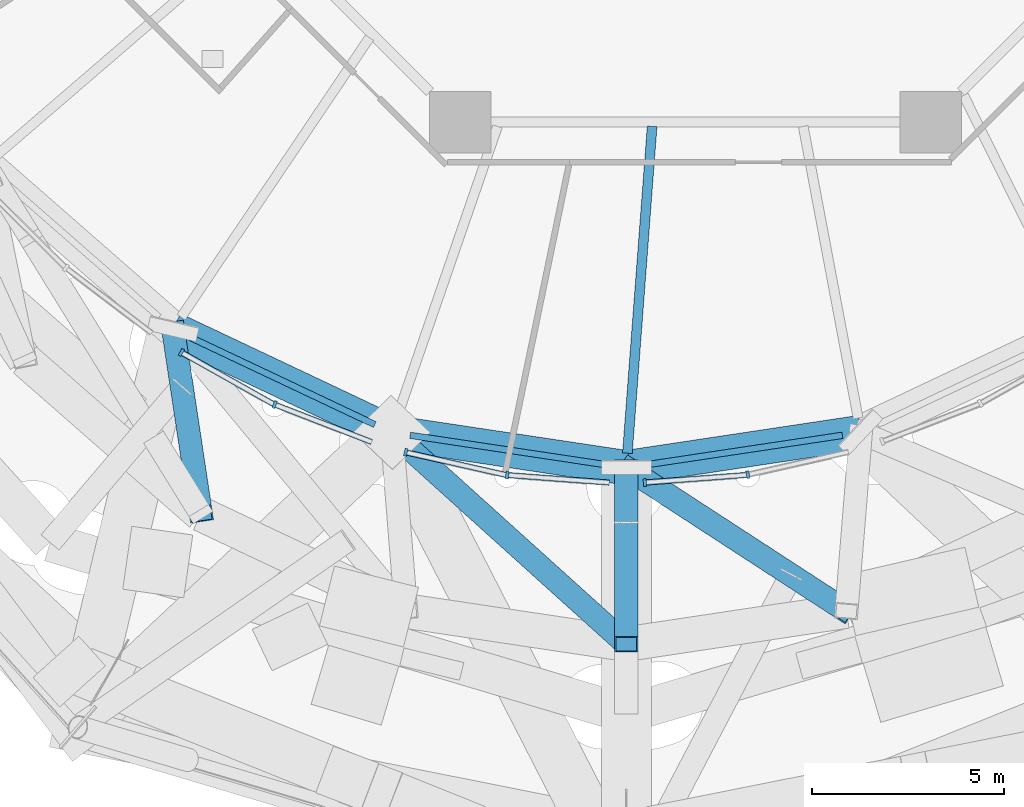
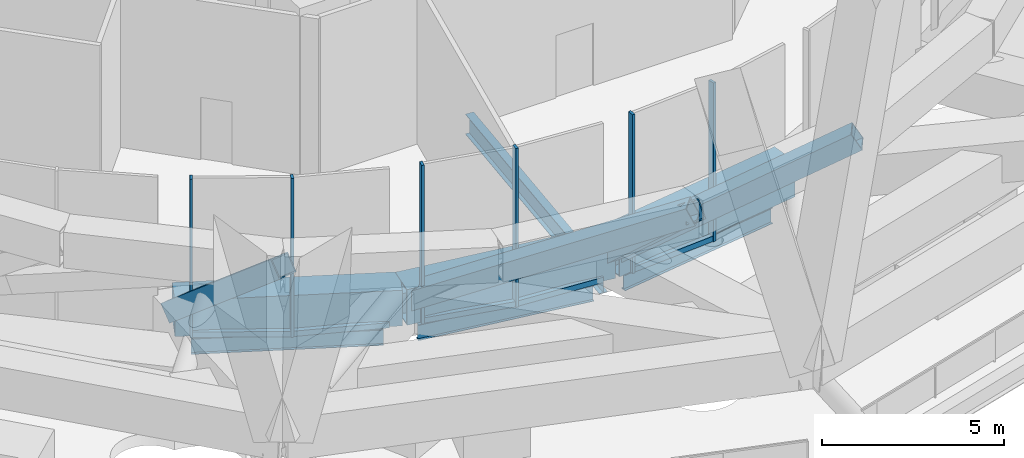
# One storey, part 3 of 48: 11 beams, 11 members, 6 elements without a shape of their own.
"""IFC4 building model written with IfcOpenShell, lengths in metres."""

from ifc_helpers import new_model, si_unit, direction, frame, origin, origin_2d, place, context, subcontext, project, spatial, rectangle, hollow_rectangle, i_section, extrude, material, layer, layer_set, material_profile, profile_set, type_object, element, aggregate, save


model = new_model("IFC4")

# Units and contexts
model_context = context("Model", 3, precision=1e-05, world=origin(), true_north=direction((0.0, 1.0)))
body_context = subcontext(model_context, "Body", "Model", "MODEL_VIEW")
ifc_project = project(units=[si_unit("LENGTHUNIT", "METRE"), si_unit("AREAUNIT", "SQUARE_METRE"), si_unit("VOLUMEUNIT", "CUBIC_METRE"), si_unit("PLANEANGLEUNIT", "RADIAN"), si_unit("MASSUNIT", "GRAM", prefix="KILO")], contexts=[model_context])

# Site, building, storey
site_placement = place(None, origin())
site = spatial("IfcSite", under=ifc_project, at=site_placement, CompositionType="ELEMENT")
building_placement = place(site_placement, origin())
building = spatial("IfcBuilding", under=site, at=building_placement, Name="Nagisa Residences", CompositionType="ELEMENT")
storey_placement = place(building_placement, frame((0.0, 0.0, 252.89990234375)))
storey = spatial("IfcBuildingStorey", under=building, at=storey_placement, Name="L64", CompositionType="ELEMENT", Elevation=252.89990234375)

# Beams
ifc_material_1 = material(Name="Steel ASTM A572 Gr 50", Category="steel")
ifc_material_profile_1 = material_profile(ifc_material_1, hollow_rectangle(XDim=0.89990234375, YDim=1.199951171875, WallThickness=0.0400390625, at=origin_2d()), Name="BX 900x1200x40")
ifc_profile_set_1 = profile_set([ifc_material_profile_1], Name="Steel ASTM A572 Gr 50")
beam_type_1 = type_object("IfcBeamType", Name="Belt chord 5 BX 900x1200x40", PredefinedType="BEAM", material=ifc_profile_set_1)
beam_1_placement = place(storey_placement, frame((-13.5849609375, -20.169677734375, 0.60009765625), z_axis=(0.904131998692, -0.427253237485, 0.0), x_axis=(0.427253237485, 0.904131998692, 0.0)))
element("IfcBeam", 1, at=beam_1_placement, inside=storey, type_object=beam_type_1, Name="beam:L64:bt5b17", PredefinedType="BEAM", context=body_context, shape_type="SweptSolid", body=[
    extrude(hollow_rectangle(XDim=0.89990234375, YDim=1.199951171875, WallThickness=0.0400390625, at=origin_2d()), origin(), (0.0, 0.0, 1.0), 6.287353515625),
])
for number, where, z_axis, x_axis, name in (
    (2, (-7.900390625, -22.85595703125, 0.60009765625), (0.988907595105, -0.14853204484, 0.0), (0.14853204484, 0.988907595105, 0.0), "beam:L64:bt5b18"),
    (3, (-1.800048828125, -23.772216796875, 0.60009765625), (0.988907595105, 0.14853204484, 0.0), (-0.14853204484, 0.988907595105, 0.0), "beam:L64:bt5b19"),
):
    element("IfcBeam", number, at=place(storey_placement, frame(where, z_axis=z_axis, x_axis=x_axis)), inside=storey, type_object=beam_type_1, Name=name, PredefinedType="BEAM", context=body_context, shape_type="SweptSolid", body=[
        extrude(hollow_rectangle(XDim=0.89990234375, YDim=1.199951171875, WallThickness=0.0400390625, at=origin_2d()), origin(), (0.0, 0.0, 1.0), 6.168701171875),
    ])
ifc_material_2 = material(Name="Steel ASTM A572 Gr 50", Category="steel")
ifc_material_profile_2 = material_profile(ifc_material_2, hollow_rectangle(XDim=0.60009765625, YDim=0.60009765625, WallThickness=0.034912109375, at=origin_2d()), Name="BX 600x600x35")
ifc_profile_set_2 = profile_set([ifc_material_profile_2], Name="Steel ASTM A572 Gr 50")
beam_type_2 = type_object("IfcBeamType", Name="Belt diagonal 5 BX 600x600x35", PredefinedType="BEAM", material=ifc_profile_set_2)
beam_2_placement = place(storey_placement, frame((-13.5849609375, -20.169677734375, 0.60009765625), z_axis=(0.113528131011, -0.752788250322, 0.648398961787), x_axis=(0.988818518744, 0.149123898113, 0.0)))
element("IfcBeam", 4, at=beam_2_placement, inside=storey, type_object=beam_type_2, Name="beam:L64:bt5da17", PredefinedType="BEAM", context=body_context, shape_type="SweptSolid", body=[
    extrude(hollow_rectangle(XDim=0.60009765625, YDim=0.60009765625, WallThickness=0.034912109375, at=origin_2d()), origin(), (0.0, 0.0, 1.0), 6.384765625),
])
beam_3_placement = place(storey_placement, frame((-7.900390625, -22.85595703125, 0.60009765625), z_axis=(0.663152393171, -0.598076567019, 0.450037024493), x_axis=(0.669731174157, 0.742603632069, 0.0)))
element("IfcBeam", 5, at=beam_3_placement, inside=storey, type_object=beam_type_2, Name="beam:L64:bt5db18", PredefinedType="BEAM", context=body_context, shape_type="SweptSolid", body=[
    extrude(hollow_rectangle(XDim=0.60009765625, YDim=0.60009765625, WallThickness=0.034912109375, at=origin_2d()), origin(), (0.0, 0.0, 1.0), 9.198974609375),
])
beam_4_placement = place(storey_placement, frame((-1.800048828125, -23.772216796875, 0.60009765625), z_axis=(0.0, -0.742247838232, 0.670125470818), x_axis=(1.0, 0.0, 0.0)))
element("IfcBeam", 6, at=beam_4_placement, inside=storey, type_object=beam_type_2, Name="beam:L64:bt5da19", PredefinedType="BEAM", context=body_context, shape_type="SweptSolid", body=[
    extrude(hollow_rectangle(XDim=0.60009765625, YDim=0.60009765625, WallThickness=0.034912109375, at=origin_2d()), origin(), (0.0, 0.0, 1.0), 6.177734375),
])
beam_5_placement = place(storey_placement, frame((-1.800048828125, -23.772216796875, 0.60009765625), z_axis=(0.716793828928, -0.46642034267, 0.518322940602), x_axis=(0.545402877976, 0.838174027691, 0.0)))
element("IfcBeam", 7, at=beam_5_placement, inside=storey, type_object=beam_type_2, Name="beam:L64:bt5db19", PredefinedType="BEAM", context=body_context, shape_type="SweptSolid", body=[
    extrude(hollow_rectangle(XDim=0.60009765625, YDim=0.60009765625, WallThickness=0.034912109375, at=origin_2d()), origin(), (0.0, 0.0, 1.0), 7.987060546875),
])

# Curtain wall, member
ifc_material_3 = material(Name="Aluminium curtain wall system", Category="aluminium")
ifc_layer = layer(ifc_material_3, 0.159912109375)
ifc_layer_set = layer_set([ifc_layer], Name="CW2 CURTAIN WALL")
curtain_wall_type = type_object("IfcCurtainWallType", Name="CW2 CURTAIN WALL", PredefinedType="NOTDEFINED", material=ifc_layer_set)
curtain_wall_1_placement = place(storey_placement, origin())
curtain_wall_1 = element("IfcCurtainWall", 8, at=curtain_wall_1_placement, inside=storey, type_object=curtain_wall_type, Name="cw:CW2:L64:32", PredefinedType="NOTDEFINED")
ifc_material_4 = material(Name="Aluminium", Category="aluminium")
ifc_material_profile_3 = material_profile(ifc_material_4, rectangle(XDim=0.199951171875, YDim=0.080078125, at=origin_2d()), Name="CW2 MULLION 200x80")
ifc_profile_set_3 = profile_set([ifc_material_profile_3], Name="Aluminium")
member_type_1 = type_object("IfcMemberType", Name="CW2 MULLION 200x80", PredefinedType="MULLION", material=ifc_profile_set_3)
member_1_placement = place(storey_placement, frame((-13.36865234375, -20.772705078125, 0.0), z_axis=(0.0, 0.0, 1.0), x_axis=(0.489376918501, 0.872072377523, 0.0)))
member_1 = element("IfcMember", 9, at=member_1_placement, type_object=member_type_1, Name="CW2 mullion", PredefinedType="MULLION", context=body_context, shape_type="SweptSolid", body=[
    extrude(rectangle(XDim=0.199951171875, YDim=0.080078125, at=origin_2d()), origin(), (0.0, 0.0, 1.0), 5.340087890625),
])

curtain_wall_2_placement = place(storey_placement, origin())
curtain_wall_2 = element("IfcCurtainWall", 10, at=curtain_wall_2_placement, inside=storey, type_object=curtain_wall_type, Name="cw:CW2:L64:33", PredefinedType="NOTDEFINED")
member_2_placement = place(storey_placement, frame((-10.945068359375, -22.127197265625, 0.0), z_axis=(0.0, 0.0, 1.0), x_axis=(0.360327770268, 0.932825759707, 0.0)))
member_2 = element("IfcMember", 11, at=member_2_placement, type_object=member_type_1, Name="CW2 mullion", PredefinedType="MULLION", context=body_context, shape_type="SweptSolid", body=[
    extrude(rectangle(XDim=0.199951171875, YDim=0.080078125, at=origin_2d()), origin(), (0.0, 0.0, 1.0), 5.340087890625),
])

curtain_wall_3_placement = place(storey_placement, origin())
curtain_wall_3 = element("IfcCurtainWall", 12, at=curtain_wall_3_placement, inside=storey, type_object=curtain_wall_type, Name="cw:CW2:L64:34", PredefinedType="NOTDEFINED")
member_3_placement = place(storey_placement, frame((-7.5341796875, -23.369140625, 0.0), z_axis=(0.0, 0.0, 1.0), x_axis=(0.2207639201, 0.975327274089, 0.0)))
member_3 = element("IfcMember", 13, at=member_3_placement, type_object=member_type_1, Name="CW2 mullion", PredefinedType="MULLION", context=body_context, shape_type="SweptSolid", body=[
    extrude(rectangle(XDim=0.199951171875, YDim=0.080078125, at=origin_2d()), origin(), (0.0, 0.0, 1.0), 5.340087890625),
])

curtain_wall_4_placement = place(storey_placement, origin())
curtain_wall_4 = element("IfcCurtainWall", 14, at=curtain_wall_4_placement, inside=storey, type_object=curtain_wall_type, Name="cw:CW2:L64:35", PredefinedType="NOTDEFINED")
member_4_placement = place(storey_placement, frame((-4.89599609375, -23.961181640625, 0.0), z_axis=(0.0, 0.0, 1.0), x_axis=(0.074377355493, 0.997230168512, 0.0)))
member_4 = element("IfcMember", 15, at=member_4_placement, type_object=member_type_1, Name="CW2 mullion", PredefinedType="MULLION", context=body_context, shape_type="SweptSolid", body=[
    extrude(rectangle(XDim=0.199951171875, YDim=0.080078125, at=origin_2d()), origin(), (0.0, 0.0, 1.0), 5.340087890625),
])

curtain_wall_5_placement = place(storey_placement, origin())
curtain_wall_5 = element("IfcCurtainWall", 16, at=curtain_wall_5_placement, inside=storey, type_object=curtain_wall_type, Name="cw:CW2:L64:36", PredefinedType="NOTDEFINED")
member_5_placement = place(storey_placement, frame((-1.3173828125, -24.156005859375, 0.0), z_axis=(0.0, 0.0, 1.0), x_axis=(-0.074377355493, 0.997230168512, 0.0)))
member_5 = element("IfcMember", 17, at=member_5_placement, type_object=member_type_1, Name="CW2 mullion", PredefinedType="MULLION", context=body_context, shape_type="SweptSolid", body=[
    extrude(rectangle(XDim=0.199951171875, YDim=0.080078125, at=origin_2d()), origin(), (0.0, 0.0, 1.0), 5.340087890625),
])

curtain_wall_6_placement = place(storey_placement, origin())
curtain_wall_6 = element("IfcCurtainWall", 18, at=curtain_wall_6_placement, inside=storey, type_object=curtain_wall_type, Name="cw:CW2:L64:37", PredefinedType="NOTDEFINED")
member_6_placement = place(storey_placement, frame((1.363037109375, -23.951171875, 0.0), z_axis=(0.0, 0.0, 1.0), x_axis=(-0.2207639201, 0.975327274089, 0.0)))
member_6 = element("IfcMember", 19, at=member_6_placement, type_object=member_type_1, Name="CW2 mullion", PredefinedType="MULLION", context=body_context, shape_type="SweptSolid", body=[
    extrude(rectangle(XDim=0.199951171875, YDim=0.080078125, at=origin_2d()), origin(), (0.0, 0.0, 1.0), 5.340087890625),
])
aggregate(curtain_wall_6, [member_6])

# Member
ifc_material_5 = material(Name="Aluminium", Category="aluminium")
ifc_material_profile_4 = material_profile(ifc_material_5, rectangle(XDim=0.139892578125, YDim=0.179931640625, at=origin_2d()), Name="CW2 TRANSOM 140x180")
ifc_profile_set_4 = profile_set([ifc_material_profile_4], Name="Aluminium")
member_type_2 = type_object("IfcMemberType", Name="CW2 TRANSOM 140x180", PredefinedType="USERDEFINED", material=ifc_profile_set_4)
member_7_placement = place(storey_placement, frame((-13.4033203125, -20.753173828125, 0.090087890625), z_axis=(0.872059187854, -0.489400421821, 0.0), x_axis=(0.489400421821, 0.872059187854, 0.0)))
member_7 = element("IfcMember", 20, at=member_7_placement, type_object=member_type_2, Name="CW2 transom", ObjectType="TRANSOM", PredefinedType="USERDEFINED", context=body_context, shape_type="SweptSolid", body=[
    extrude(rectangle(XDim=0.139892578125, YDim=0.179931640625, at=origin_2d()), origin(), (0.0, 0.0, 1.0), 2.7880859375),
])

aggregate(curtain_wall_1, [member_1, member_7])

member_8_placement = place(storey_placement, frame((-10.982421875, -22.11279296875, 0.090087890625), z_axis=(0.932831413122, -0.360313134221, 0.0), x_axis=(0.360313134221, 0.932831413122, 0.0)))
member_8 = element("IfcMember", 21, at=member_8_placement, type_object=member_type_2, Name="CW2 transom", ObjectType="TRANSOM", PredefinedType="USERDEFINED", context=body_context, shape_type="SweptSolid", body=[
    extrude(rectangle(XDim=0.139892578125, YDim=0.179931640625, at=origin_2d()), origin(), (0.0, 0.0, 1.0), 2.746337890625),
])

aggregate(curtain_wall_2, [member_2, member_8])

member_9_placement = place(storey_placement, frame((-7.5732421875, -23.3603515625, 0.090087890625), z_axis=(0.975329367728, -0.220754670274, 0.0), x_axis=(0.220754670274, 0.975329367728, 0.0)))
member_9 = element("IfcMember", 22, at=member_9_placement, type_object=member_type_2, Name="CW2 transom", ObjectType="TRANSOM", PredefinedType="USERDEFINED", context=body_context, shape_type="SweptSolid", body=[
    extrude(rectangle(XDim=0.139892578125, YDim=0.179931640625, at=origin_2d()), origin(), (0.0, 0.0, 1.0), 2.716064453125),
])

aggregate(curtain_wall_3, [member_3, member_9])

member_10_placement = place(storey_placement, frame((-4.935791015625, -23.958251953125, 0.090087890625), z_axis=(0.997227893838, -0.074407847382, 0.0), x_axis=(0.074407847382, 0.997227893838, 0.0)))
member_10 = element("IfcMember", 23, at=member_10_placement, type_object=member_type_2, Name="CW2 transom", ObjectType="TRANSOM", PredefinedType="USERDEFINED", context=body_context, shape_type="SweptSolid", body=[
    extrude(rectangle(XDim=0.139892578125, YDim=0.179931640625, at=origin_2d()), origin(), (0.0, 0.0, 1.0), 2.700439453125),
])

aggregate(curtain_wall_4, [member_4, member_10])

member_11_placement = place(storey_placement, frame((-1.357177734375, -24.1591796875, 0.090087890625), z_axis=(0.997227893838, 0.074407847382, 0.0), x_axis=(-0.074407847382, 0.997227893838, 0.0)))
member_11 = element("IfcMember", 24, at=member_11_placement, type_object=member_type_2, Name="CW2 transom", ObjectType="TRANSOM", PredefinedType="USERDEFINED", context=body_context, shape_type="SweptSolid", body=[
    extrude(rectangle(XDim=0.139892578125, YDim=0.179931640625, at=origin_2d()), origin(), (0.0, 0.0, 1.0), 2.700439453125),
])

aggregate(curtain_wall_5, [member_5, member_11])

# Beams
ifc_material_6 = material(Name="Steel ASTM A572 Gr 50", Category="steel")
ifc_material_profile_5 = material_profile(ifc_material_6, i_section(OverallWidth=0.166015625, OverallDepth=0.534912109375, WebThickness=0.01025390625, FlangeThickness=0.0166015625, at=origin_2d()), Name="W530x85")
ifc_profile_set_5 = profile_set([ifc_material_profile_5], Name="Steel ASTM A572 Gr 50")
beam_type_3 = type_object("IfcBeamType", Name="Perimeter ring beam W530x85", PredefinedType="BEAM", material=ifc_profile_set_5)
beam_6_placement = place(storey_placement, frame((-13.146484375, -20.376953125, -0.617431640625), z_axis=(0.904133867308, -0.42724928319, 0.0), x_axis=(0.42724928319, 0.904133867308, 0.0)))
element("IfcBeam", 25, at=beam_6_placement, inside=storey, type_object=beam_type_3, Name="beam:L64:pb17", PredefinedType="BEAM", context=body_context, shape_type="SweptSolid", body=[
    extrude(i_section(OverallWidth=0.166015625, OverallDepth=0.534912109375, WebThickness=0.01025390625, FlangeThickness=0.0166015625, at=origin_2d()), origin(), (0.0, 0.0, 1.0), 5.317138671875),
])
for number, where, z_axis, x_axis, name in (
    (26, (-7.42041015625, -22.92822265625, -0.617431640625), (0.988909463745, -0.148519603133, 0.0), (0.148519603133, 0.988909463745, 0.0), "beam:L64:pb18"),
    (27, (-1.31982421875, -23.7001953125, -0.617431640625), (0.988909463745, 0.148519603133, 0.0), (-0.148519603133, 0.988909463745, 0.0), "beam:L64:pb19"),
):
    element("IfcBeam", number, at=place(storey_placement, frame(where, z_axis=z_axis, x_axis=x_axis)), inside=storey, type_object=beam_type_3, Name=name, PredefinedType="BEAM", context=body_context, shape_type="SweptSolid", body=[
        extrude(i_section(OverallWidth=0.166015625, OverallDepth=0.534912109375, WebThickness=0.01025390625, FlangeThickness=0.0166015625, at=origin_2d()), origin(), (0.0, 0.0, 1.0), 5.19775390625),
    ])
ifc_material_7 = material(Name="Steel ASTM A572 Gr 50", Category="steel")
ifc_material_profile_6 = material_profile(ifc_material_7, i_section(OverallWidth=0.2529296875, OverallDepth=0.677978515625, WebThickness=0.01171875, FlangeThickness=0.016357421875, at=origin_2d()), Name="W690x125")
ifc_profile_set_6 = profile_set([ifc_material_profile_6], Name="Steel ASTM A572 Gr 50")
beam_type_4 = type_object("IfcBeamType", Name="Radial beam W690x125", PredefinedType="BEAM", material=ifc_profile_set_6)
beam_7_placement = place(storey_placement, frame((-1.771240234375, -23.392333984375, -0.68896484375), z_axis=(0.07551564943, 0.997144616739, 0.0), x_axis=(-0.997144616739, 0.07551564943, 0.0)))
element("IfcBeam", 28, at=beam_7_placement, inside=storey, type_object=beam_type_4, Name="beam:L64:rb19", PredefinedType="BEAM", context=body_context, shape_type="SweptSolid", body=[
    extrude(i_section(OverallWidth=0.2529296875, OverallDepth=0.677978515625, WebThickness=0.01171875, FlangeThickness=0.016357421875, at=origin_2d()), origin(), (0.0, 0.0, 1.0), 8.522216796875),
])

save(model, "model.ifc")
